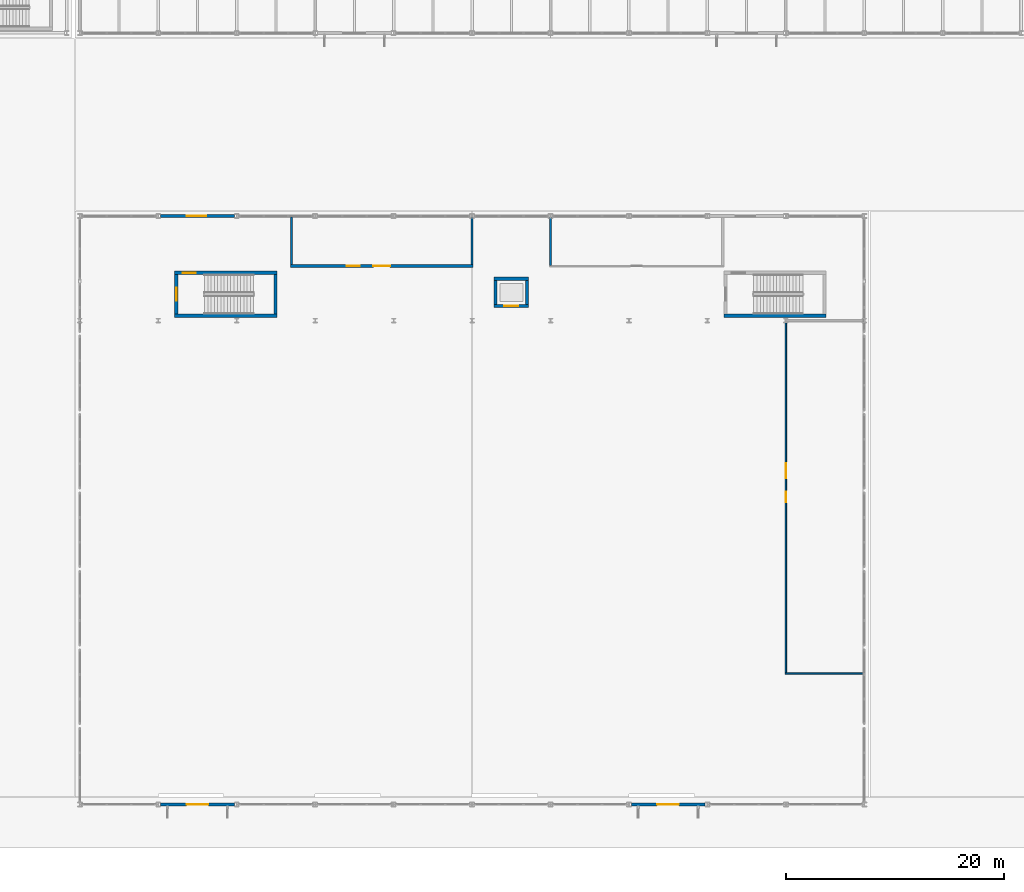
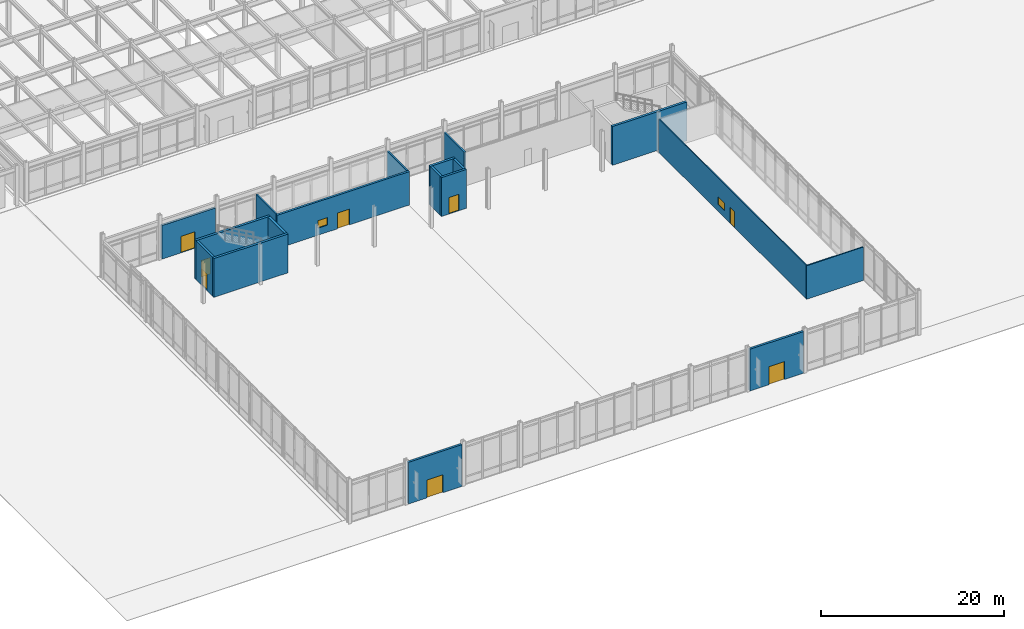
# One storey, part 71 of 104: 18 walls, 8 doors, 2 windows, 10 openings.
"""IFC4 building model written with IfcOpenShell, lengths in metres."""

from ifc_helpers import new_model, si_unit, direction, frame, frame_2d, origin, place, context, subcontext, project, spatial, rectangle, extrude, material, layer, layer_set, type_object, element, fill, save


model = new_model("IFC4")

# Units and contexts
model_context = context("Model", 3, precision=1e-05, world=origin(), true_north=direction((0.0, 1.0)))
body_context = subcontext(model_context, "Body", "Model", "MODEL_VIEW")
ifc_project = project(units=[si_unit("LENGTHUNIT", "METRE"), si_unit("AREAUNIT", "SQUARE_METRE"), si_unit("VOLUMEUNIT", "CUBIC_METRE"), si_unit("PLANEANGLEUNIT", "RADIAN"), si_unit("MASSUNIT", "GRAM", prefix="KILO")], contexts=[model_context])

# Site, building, storey
site_placement = place(None, origin())
site = spatial("IfcSite", under=ifc_project, at=site_placement, CompositionType="ELEMENT")
building_placement = place(site_placement, origin())
building = spatial("IfcBuilding", under=site, at=building_placement, Name="Vaelcorin Mobility Hub", CompositionType="ELEMENT")
storey_placement = place(building_placement, origin())
storey = spatial("IfcBuildingStorey", under=building, at=storey_placement, Name="L00", CompositionType="ELEMENT", Elevation=0.0)

# Wall
ifc_material_1 = material(Name="Reinforced concrete f'c 45 MPa", Category="concrete")
ifc_layer_1 = layer(ifc_material_1, 0.300048828125)
ifc_layer_set_1 = layer_set([ifc_layer_1], Name="Reinforced concrete f'c 45 MPa")
wall_type_1 = type_object("IfcWallType", Name="WL-CORE-300", PredefinedType="SOLIDWALL", material=ifc_layer_set_1)
wall_1_placement = place(storey_placement, frame((54.10009765625, 50.85009765625, 0.0), z_axis=(0.0, 0.0, 1.0), x_axis=(-1.0, 0.0, 0.0)))
element("IfcWall", 1, at=wall_1_placement, inside=storey, type_object=wall_type_1, Name="ST7 Fire Core Wall L00 South", PredefinedType="SOLIDWALL", context=body_context, shape_type="SweptSolid", body=[
    extrude(rectangle(XDim=9.400146484375, YDim=0.300048828125, at=frame_2d((4.7001953125, 0.0))), origin(), (0.0, 0.0, 1.0), 5.179931640625),
])

# Wall, opening, door
wall_2_placement = place(storey_placement, frame((44.699951171875, 54.7900390625, 0.0), z_axis=(0.0, 0.0, 1.0), x_axis=(1.0, 0.0, 0.0)))
wall_2 = element("IfcWall", 2, at=wall_2_placement, inside=storey, type_object=wall_type_1, Name="ST7 Fire Core Wall L00 North", PredefinedType="SOLIDWALL", context=body_context, shape_type="SweptSolid", body=[
    extrude(rectangle(XDim=9.400146484375, YDim=0.300048828125, at=frame_2d((4.7001953125, 0.0))), origin(), (0.0, 0.0, 1.0), 5.179931640625),
])
opening_1_placement = place(wall_2_placement, frame((0.75, 0.0, 0.0)))
opening_1 = element("IfcOpeningElement", 3, at=opening_1_placement, cuts=wall_2, Name="Opening SD01", PredefinedType="OPENING", context=body_context, shape_type="SweptSolid", body=[
    extrude(rectangle(XDim=1.199951171875, YDim=2.199951171875, at=frame_2d((0.60009765625, 1.10009765625))), frame((0.0, 0.159912109375, 0.0), z_axis=(0.0, -1.0, 0.0), x_axis=(1.0, 0.0, 0.0)), (0.0, 0.0, 1.0), 0.320068359375),
])
ifc_material_2 = material(Name="Hollow-metal insulated steel fire door", Category="steel")
door_type_1 = type_object("IfcDoorType", Name="DR-STAIR-90", OperationType="NOTDEFINED", PredefinedType="DOOR", material=ifc_material_2)
door_1_placement = place(opening_1_placement, origin())
door_1 = element("IfcDoor", 4, at=door_1_placement, inside=storey, type_object=door_type_1, Name="ST7 Protected Exit Vestibule Door L00", OperationType="SINGLE_SWING_LEFT", OverallHeight=2.199951171875, OverallWidth=1.199951171875, PredefinedType="DOOR", context=body_context, shape_type="SweptSolid", body=[
    extrude(rectangle(XDim=1.199951171875, YDim=2.199951171875, at=frame_2d((0.60009765625, 1.10009765625))), frame((0.0, 0.02490234375, 0.0), z_axis=(0.0, -1.0, 0.0), x_axis=(1.0, 0.0, 0.0)), (0.0, 0.0, 1.0), 0.050048828125),
])
fill(opening_1, door_1)

wall_3_placement = place(storey_placement, frame((44.85009765625, 51.0, 0.0), z_axis=(0.0, 0.0, 1.0), x_axis=(0.0, 1.0, 0.0)))
wall_3 = element("IfcWall", 5, at=wall_3_placement, inside=storey, type_object=wall_type_1, Name="ST7 Fire Core Wall L00 West", PredefinedType="SOLIDWALL", context=body_context, shape_type="SweptSolid", body=[
    extrude(rectangle(XDim=3.639892578125, YDim=0.300048828125, at=frame_2d((1.81982421875, 0.0))), origin(), (0.0, 0.0, 1.0), 5.179931640625),
])
opening_2_placement = place(wall_3_placement, frame((1.219970703125, 0.0, 0.0)))
opening_2 = element("IfcOpeningElement", 6, at=opening_2_placement, cuts=wall_3, Name="Opening SD01", PredefinedType="OPENING", context=body_context, shape_type="SweptSolid", body=[
    extrude(rectangle(XDim=1.199951171875, YDim=2.199951171875, at=frame_2d((0.60009765625, 1.10009765625))), frame((0.0, 0.159912109375, 0.0), z_axis=(0.0, -1.0, 0.0), x_axis=(1.0, 0.0, 0.0)), (0.0, 0.0, 1.0), 0.320068359375),
])
door_2_placement = place(opening_2_placement, origin())
door_2 = element("IfcDoor", 7, at=door_2_placement, inside=storey, type_object=door_type_1, Name="ST7 Protected Stair Door L00", OperationType="SINGLE_SWING_RIGHT", OverallHeight=2.199951171875, OverallWidth=1.199951171875, PredefinedType="DOOR", context=body_context, shape_type="SweptSolid", body=[
    extrude(rectangle(XDim=1.199951171875, YDim=2.199951171875, at=frame_2d((0.60009765625, 1.10009765625))), frame((0.0, 0.02490234375, 0.0), z_axis=(0.0, -1.0, 0.0), x_axis=(1.0, 0.0, 0.0)), (0.0, 0.0, 1.0), 0.050048828125),
])
fill(opening_2, door_2)

# Walls
wall_4_placement = place(storey_placement, frame((53.949951171875, 54.639892578125, 0.0), z_axis=(0.0, 0.0, 1.0), x_axis=(0.0, -1.0, 0.0)))
element("IfcWall", 8, at=wall_4_placement, inside=storey, type_object=wall_type_1, Name="ST7 Fire Core Wall L00 East", PredefinedType="SOLIDWALL", context=body_context, shape_type="SweptSolid", body=[
    extrude(rectangle(XDim=3.639892578125, YDim=0.300048828125, at=frame_2d((1.81982421875, 0.0))), origin(), (0.0, 0.0, 1.0), 5.179931640625),
])
wall_5_placement = place(storey_placement, frame((104.5, 50.85009765625, 0.0), z_axis=(0.0, 0.0, 1.0), x_axis=(-1.0, 0.0, 0.0)))
element("IfcWall", 9, at=wall_5_placement, inside=storey, type_object=wall_type_1, Name="ST8 Fire Core Wall L00 South", PredefinedType="SOLIDWALL", context=body_context, shape_type="SweptSolid", body=[
    extrude(rectangle(XDim=9.39990234375, YDim=0.300048828125, at=frame_2d((4.699951171875, 0.0))), origin(), (0.0, 0.0, 1.0), 5.179931640625),
])

# Wall, opening, door
ifc_material_3 = material(Name="Insulated exterior precast concrete C40/50", Category="concrete")
ifc_layer_2 = layer(ifc_material_3, 0.280029296875)
ifc_layer_set_2 = layer_set([ifc_layer_2], Name="Insulated exterior precast concrete C40/50")
wall_type_2 = type_object("IfcWallType", Name="WL-EXT-280", PredefinedType="STANDARD", material=ifc_layer_set_2)
wall_6_placement = place(storey_placement, frame((50.19091796875, 6.0, 0.0), z_axis=(0.0, 0.0, 1.0), x_axis=(-1.0, 0.0, 0.0)))
wall_6 = element("IfcWall", 10, at=wall_6_placement, inside=storey, type_object=wall_type_2, Name="L00 Exterior Wall V1-EW-S-02", PredefinedType="STANDARD", context=body_context, shape_type="SweptSolid", body=[
    extrude(rectangle(XDim=6.781982421875, YDim=0.280029296875, at=frame_2d((3.39111328125, 0.0))), origin(), (0.0, 0.0, 1.0), 5.580078125),
])
opening_3_placement = place(wall_6_placement, frame((2.40087890625, 0.0, 0.0)))
opening_3 = element("IfcOpeningElement", 11, at=opening_3_placement, cuts=wall_6, Name="Opening ED01", PredefinedType="OPENING", context=body_context, shape_type="SweptSolid", body=[
    extrude(rectangle(XDim=2.0, YDim=2.39990234375, at=frame_2d((1.0, 1.199951171875))), frame((0.0, 0.14990234375, 0.0), z_axis=(0.0, -1.0, 0.0), x_axis=(1.0, 0.0, 0.0)), (0.0, 0.0, 1.0), 0.300048828125),
])
ifc_material_4 = material(Name="Anodised aluminium 6063-T6", Category="aluminium")
door_type_2 = type_object("IfcDoorType", Name="DR-EXT-2000X2400", OperationType="NOTDEFINED", PredefinedType="DOOR", material=ifc_material_4)
door_3_placement = place(opening_3_placement, origin())
door_3 = element("IfcDoor", 12, at=door_3_placement, inside=storey, type_object=door_type_2, Name="L00 Exterior Door DR-V1-S-02", OperationType="SINGLE_SWING_LEFT", OverallHeight=2.39990234375, OverallWidth=2.0, PredefinedType="DOOR", context=body_context, shape_type="SweptSolid", body=[
    extrude(rectangle(XDim=2.0, YDim=2.39990234375, at=frame_2d((1.0, 1.199951171875))), frame((0.0, 0.02490234375, 0.0), z_axis=(0.0, -1.0, 0.0), x_axis=(1.0, 0.0, 0.0)), (0.0, 0.0, 1.0), 0.050048828125),
])
fill(opening_3, door_3)

wall_7_placement = place(storey_placement, frame((43.408935546875, 60.0, 0.0), z_axis=(0.0, 0.0, 1.0), x_axis=(1.0, 0.0, 0.0)))
wall_7 = element("IfcWall", 13, at=wall_7_placement, inside=storey, type_object=wall_type_2, Name="L00 Exterior Wall V1-EW-N-02", PredefinedType="STANDARD", context=body_context, shape_type="SweptSolid", body=[
    extrude(rectangle(XDim=6.781982421875, YDim=0.280029296875, at=frame_2d((3.39111328125, 0.0))), origin(), (0.0, 0.0, 1.0), 4.48193359375),
])
opening_4_placement = place(wall_7_placement, frame((2.40087890625, 0.0, 0.0)))
opening_4 = element("IfcOpeningElement", 14, at=opening_4_placement, cuts=wall_7, Name="Opening ED02", PredefinedType="OPENING", context=body_context, shape_type="SweptSolid", body=[
    extrude(rectangle(XDim=1.800048828125, YDim=2.199951171875, at=frame_2d((0.89990234375, 1.10009765625))), frame((0.0, 0.14990234375, 0.0), z_axis=(0.0, -1.0, 0.0), x_axis=(1.0, 0.0, 0.0)), (0.0, 0.0, 1.0), 0.300048828125),
])
door_type_3 = type_object("IfcDoorType", Name="DR-EXT-1800X2200", OperationType="NOTDEFINED", PredefinedType="DOOR", material=ifc_material_4)
door_4_placement = place(opening_4_placement, origin())
door_4 = element("IfcDoor", 15, at=door_4_placement, inside=storey, type_object=door_type_3, Name="L00 Exterior Door DR-V1-N-EXIT-02", OperationType="SINGLE_SWING_RIGHT", OverallHeight=2.199951171875, OverallWidth=1.800048828125, PredefinedType="DOOR", context=body_context, shape_type="SweptSolid", body=[
    extrude(rectangle(XDim=1.800048828125, YDim=2.199951171875, at=frame_2d((0.89990234375, 1.10009765625))), frame((0.0, 0.02490234375, 0.0), z_axis=(0.0, -1.0, 0.0), x_axis=(1.0, 0.0, 0.0)), (0.0, 0.0, 1.0), 0.050048828125),
])
fill(opening_4, door_4)

wall_8_placement = place(storey_placement, frame((93.39111328125, 6.0, 0.0), z_axis=(0.0, 0.0, 1.0), x_axis=(-1.0, 0.0, 0.0)))
wall_8 = element("IfcWall", 16, at=wall_8_placement, inside=storey, type_object=wall_type_2, Name="L00 Exterior Wall V1-EW-S-08", PredefinedType="STANDARD", context=body_context, shape_type="SweptSolid", body=[
    extrude(rectangle(XDim=6.7822265625, YDim=0.280029296875, at=frame_2d((3.39111328125, 0.0))), origin(), (0.0, 0.0, 1.0), 5.580078125),
])
opening_5_placement = place(wall_8_placement, frame((2.40087890625, 0.0, 0.0)))
opening_5 = element("IfcOpeningElement", 17, at=opening_5_placement, cuts=wall_8, Name="Opening ED01", PredefinedType="OPENING", context=body_context, shape_type="SweptSolid", body=[
    extrude(rectangle(XDim=2.0, YDim=2.39990234375, at=frame_2d((1.0, 1.199951171875))), frame((0.0, 0.14990234375, 0.0), z_axis=(0.0, -1.0, 0.0), x_axis=(1.0, 0.0, 0.0)), (0.0, 0.0, 1.0), 0.300048828125),
])
door_5_placement = place(opening_5_placement, origin())
door_5 = element("IfcDoor", 18, at=door_5_placement, inside=storey, type_object=door_type_2, Name="L00 Exterior Door DR-V1-S-08", OperationType="SINGLE_SWING_LEFT", OverallHeight=2.39990234375, OverallWidth=2.0, PredefinedType="DOOR", context=body_context, shape_type="SweptSolid", body=[
    extrude(rectangle(XDim=2.0, YDim=2.39990234375, at=frame_2d((1.0, 1.199951171875))), frame((0.0, 0.02490234375, 0.0), z_axis=(0.0, -1.0, 0.0), x_axis=(1.0, 0.0, 0.0)), (0.0, 0.0, 1.0), 0.050048828125),
])
fill(opening_5, door_5)

# Wall, openings, door, window
ifc_material_5 = material(Name="Fire-rated acoustic steel-stud gypsum board", Category="steel")
ifc_layer_3 = layer(ifc_material_5, 0.1298828125)
ifc_layer_set_3 = layer_set([ifc_layer_3], Name="Fire-rated acoustic steel-stud gypsum board")
wall_type_3 = type_object("IfcWallType", Name="WL-PART-130", PredefinedType="PARTITIONING", material=ifc_layer_set_3)
wall_9_placement = place(storey_placement, frame((100.800048828125, 18.080078125, 0.0), z_axis=(0.0, 0.0, 1.0), x_axis=(0.0, 1.0, 0.0)))
wall_9 = element("IfcWall", 19, at=wall_9_placement, inside=storey, type_object=wall_type_3, Name="Left-Luggage and Parcel Desk Partition West", PredefinedType="PARTITIONING", context=body_context, shape_type="SweptSolid", body=[
    extrude(rectangle(XDim=32.238037109375, YDim=0.1298828125, at=frame_2d((16.119140625, 0.0))), origin(), (0.0, 0.0, 1.0), 4.47705078125),
])
opening_6_placement = place(wall_9_placement, frame((15.638916015625, 0.0, 0.0)))
opening_6 = element("IfcOpeningElement", 20, at=opening_6_placement, cuts=wall_9, Name="Opening ID14", PredefinedType="OPENING", context=body_context, shape_type="SweptSolid", body=[
    extrude(rectangle(XDim=0.9599609375, YDim=2.159912109375, at=frame_2d((0.47998046875, 1.080078125))), frame((0.0, 0.074951171875, 0.0), z_axis=(0.0, -1.0, 0.0), x_axis=(1.0, 0.0, 0.0)), (0.0, 0.0, 1.0), 0.14990234375),
])
opening_7_placement = place(wall_9_placement, frame((17.84912109375, 0.0, 0.949951171875)))
opening_7 = element("IfcOpeningElement", 21, at=opening_7_placement, cuts=wall_9, Name="Opening IW-WN03", PredefinedType="OPENING", context=body_context, shape_type="SweptSolid", body=[
    extrude(rectangle(XDim=1.39990234375, YDim=1.0, at=frame_2d((0.699951171875, 0.5))), frame((0.0, 0.074951171875, 0.0), z_axis=(0.0, -1.0, 0.0), x_axis=(1.0, 0.0, 0.0)), (0.0, 0.0, 1.0), 0.14990234375),
])
ifc_material_6 = material(Name="Solid-core hardwood fire door assembly", Category="wood")
door_type_4 = type_object("IfcDoorType", Name="DR-INT-14", OperationType="NOTDEFINED", PredefinedType="DOOR", material=ifc_material_6)
door_6_placement = place(opening_6_placement, origin())
door_6 = element("IfcDoor", 22, at=door_6_placement, inside=storey, type_object=door_type_4, Name="Left-Luggage and Parcel Desk Door", OperationType="SINGLE_SWING_RIGHT", OverallHeight=2.159912109375, OverallWidth=0.9599609375, PredefinedType="DOOR", context=body_context, shape_type="SweptSolid", body=[
    extrude(rectangle(XDim=0.9599609375, YDim=2.159912109375, at=frame_2d((0.47998046875, 1.080078125))), frame((0.0, 0.02490234375, 0.0), z_axis=(0.0, -1.0, 0.0), x_axis=(1.0, 0.0, 0.0)), (0.0, 0.0, 1.0), 0.050048828125),
])
fill(opening_6, door_6)
ifc_material_7 = material(Name="Acoustic laminated fire-rated interior glazing", Category="glass")
window_type_1 = type_object("IfcWindowType", Name="WIN-INT-03", PartitioningType="SINGLE_PANEL", PredefinedType="WINDOW", material=ifc_material_7)
window_1_placement = place(opening_7_placement, origin())
window_1 = element("IfcWindow", 23, at=window_1_placement, inside=storey, type_object=window_type_1, Name="Left-Luggage and Parcel Desk Observation Glazing", OverallHeight=1.0, OverallWidth=1.39990234375, PartitioningType="SINGLE_PANEL", PredefinedType="WINDOW", context=body_context, shape_type="SweptSolid", body=[
    extrude(rectangle(XDim=1.39990234375, YDim=1.0, at=frame_2d((0.699951171875, 0.5))), frame((0.0, 0.030029296875, 0.0), z_axis=(0.0, -1.0, 0.0), x_axis=(1.0, 0.0, 0.0)), (0.0, 0.0, 1.0), 0.06005859375),
])
fill(opening_7, window_1)

# Walls
ifc_layer_4 = layer(ifc_material_5, 0.155029296875)
ifc_layer_set_4 = layer_set([ifc_layer_4], Name="Fire-rated acoustic steel-stud gypsum board")
wall_type_4 = type_object("IfcWallType", Name="WL-PART-155", PredefinedType="PARTITIONING", material=ifc_layer_set_4)
wall_10_placement = place(storey_placement, frame((107.91796875, 18.0, 0.0), z_axis=(0.0, 0.0, 1.0), x_axis=(-1.0, 0.0, 0.0)))
element("IfcWall", 24, at=wall_10_placement, inside=storey, type_object=wall_type_4, Name="Left-Luggage and Parcel Desk Partition South", PredefinedType="PARTITIONING", context=body_context, shape_type="SweptSolid", body=[
    extrude(rectangle(XDim=7.197998046875, YDim=0.155029296875, at=frame_2d((3.59912109375, 0.0))), origin(), (0.0, 0.0, 1.0), 4.47705078125),
])
ifc_layer_5 = layer(ifc_material_5, 0.18505859375)
ifc_layer_set_5 = layer_set([ifc_layer_5], Name="Fire-rated acoustic steel-stud gypsum board")
wall_type_5 = type_object("IfcWallType", Name="WL-PART-185", PredefinedType="PARTITIONING", material=ifc_layer_set_5)
wall_11_placement = place(storey_placement, frame((55.419921875, 55.537109375, 0.0), z_axis=(0.0, 0.0, 1.0), x_axis=(0.0, 1.0, 0.0)))
element("IfcWall", 25, at=wall_11_placement, inside=storey, type_object=wall_type_5, Name="Intermodal Ticketing Pavilion Partition West", PredefinedType="PARTITIONING", context=body_context, shape_type="SweptSolid", body=[
    extrude(rectangle(XDim=4.380859375, YDim=0.18505859375, at=frame_2d((2.1904296875, 0.0))), origin(), (0.0, 0.0, 1.0), 4.47705078125),
])
ifc_layer_6 = layer(ifc_material_5, 0.19189453125)
ifc_layer_set_6 = layer_set([ifc_layer_6], Name="Fire-rated acoustic steel-stud gypsum board")
wall_type_6 = type_object("IfcWallType", Name="WL-PART-192", PredefinedType="PARTITIONING", material=ifc_layer_set_6)
wall_12_placement = place(storey_placement, frame((72.0, 59.91796875, 0.0), z_axis=(0.0, 0.0, 1.0), x_axis=(0.0, -1.0, 0.0)))
element("IfcWall", 26, at=wall_12_placement, inside=storey, type_object=wall_type_6, Name="Intermodal Ticketing Pavilion Partition East", PredefinedType="PARTITIONING", context=body_context, shape_type="SweptSolid", body=[
    extrude(rectangle(XDim=4.380859375, YDim=0.19189453125, at=frame_2d((2.1904296875, 0.0))), origin(), (0.0, 0.0, 1.0), 4.47705078125),
])
ifc_material_8 = material(Name="Reinforced acoustic concrete masonry C30/37", Category="masonry")
ifc_layer_7 = layer(ifc_material_8, 0.197998046875)
ifc_layer_set_7 = layer_set([ifc_layer_7], Name="Reinforced acoustic concrete masonry C30/37")
wall_type_7 = type_object("IfcWallType", Name="WL-PART-198", PredefinedType="PARTITIONING", material=ifc_layer_set_7)
wall_13_placement = place(storey_placement, frame((79.199951171875, 55.449951171875, 0.0), z_axis=(0.0, 0.0, 1.0), x_axis=(0.0, 1.0, 0.0)))
element("IfcWall", 27, at=wall_13_placement, inside=storey, type_object=wall_type_7, Name="Regional Passenger Waiting Lounge Partition West", PredefinedType="PARTITIONING", context=body_context, shape_type="SweptSolid", body=[
    extrude(rectangle(XDim=4.468017578125, YDim=0.197998046875, at=frame_2d((2.23388671875, 0.0))), origin(), (0.0, 0.0, 1.0), 4.47705078125),
])

# Wall, openings, door, window
ifc_layer_8 = layer(ifc_material_8, 0.27001953125)
ifc_layer_set_8 = layer_set([ifc_layer_8], Name="Reinforced acoustic concrete masonry C30/37")
wall_type_8 = type_object("IfcWallType", Name="WL-PART-270", PredefinedType="PARTITIONING", material=ifc_layer_set_8)
wall_14_placement = place(storey_placement, frame((72.080078125, 55.39990234375, 0.0), z_axis=(0.0, 0.0, 1.0), x_axis=(-1.0, 0.0, 0.0)))
wall_14 = element("IfcWall", 28, at=wall_14_placement, inside=storey, type_object=wall_type_8, Name="Intermodal Ticketing Pavilion Partition South", PredefinedType="PARTITIONING", context=body_context, shape_type="SweptSolid", body=[
    extrude(rectangle(XDim=16.739990234375, YDim=0.27001953125, at=frame_2d((8.3701171875, 0.0))), origin(), (0.0, 0.0, 1.0), 4.47705078125),
])
opening_8_placement = place(wall_14_placement, frame((7.60009765625, 0.0, 0.0)))
opening_8 = element("IfcOpeningElement", 29, at=opening_8_placement, cuts=wall_14, Name="Opening ID12", PredefinedType="OPENING", context=body_context, shape_type="SweptSolid", body=[
    extrude(rectangle(XDim=1.5400390625, YDim=2.10009765625, at=frame_2d((0.77001953125, 1.050048828125))), frame((0.0, 0.14501953125, 0.0), z_axis=(0.0, -1.0, 0.0), x_axis=(1.0, 0.0, 0.0)), (0.0, 0.0, 1.0), 0.2900390625),
])
opening_9_placement = place(wall_14_placement, frame((10.389892578125, 0.0, 0.949951171875)))
opening_9 = element("IfcOpeningElement", 30, at=opening_9_placement, cuts=wall_14, Name="Opening IW-WN02", PredefinedType="OPENING", context=body_context, shape_type="SweptSolid", body=[
    extrude(rectangle(XDim=1.199951171875, YDim=1.0, at=frame_2d((0.60009765625, 0.5))), frame((0.0, 0.14501953125, 0.0), z_axis=(0.0, -1.0, 0.0), x_axis=(1.0, 0.0, 0.0)), (0.0, 0.0, 1.0), 0.2900390625),
])
door_type_5 = type_object("IfcDoorType", Name="DR-INT-12", OperationType="NOTDEFINED", PredefinedType="DOOR", material=ifc_material_2)
door_7_placement = place(opening_8_placement, origin())
door_7 = element("IfcDoor", 31, at=door_7_placement, inside=storey, type_object=door_type_5, Name="Intermodal Ticketing Pavilion Door", OperationType="SINGLE_SWING_RIGHT", OverallHeight=2.10009765625, OverallWidth=1.5400390625, PredefinedType="DOOR", context=body_context, shape_type="SweptSolid", body=[
    extrude(rectangle(XDim=1.5400390625, YDim=2.10009765625, at=frame_2d((0.77001953125, 1.050048828125))), frame((0.0, 0.02490234375, 0.0), z_axis=(0.0, -1.0, 0.0), x_axis=(1.0, 0.0, 0.0)), (0.0, 0.0, 1.0), 0.050048828125),
])
fill(opening_8, door_7)
window_type_2 = type_object("IfcWindowType", Name="WIN-INT-02", PartitioningType="SINGLE_PANEL", PredefinedType="WINDOW", material=ifc_material_7)
window_2_placement = place(opening_9_placement, origin())
window_2 = element("IfcWindow", 32, at=window_2_placement, inside=storey, type_object=window_type_2, Name="Intermodal Ticketing Pavilion Observation Glazing", OverallHeight=1.0, OverallWidth=1.199951171875, PartitioningType="SINGLE_PANEL", PredefinedType="WINDOW", context=body_context, shape_type="SweptSolid", body=[
    extrude(rectangle(XDim=1.199951171875, YDim=1.0, at=frame_2d((0.60009765625, 0.5))), frame((0.0, 0.030029296875, 0.0), z_axis=(0.0, -1.0, 0.0), x_axis=(1.0, 0.0, 0.0)), (0.0, 0.0, 1.0), 0.06005859375),
])
fill(opening_9, window_2)

# Wall, opening, door
ifc_layer_9 = layer(ifc_material_1, 0.2900390625)
ifc_layer_set_9 = layer_set([ifc_layer_9], Name="Reinforced concrete f'c 45 MPa")
wall_type_9 = type_object("IfcWallType", Name="WL-SHEAR-290", PredefinedType="SHEAR", material=ifc_layer_set_9)
wall_15_placement = place(storey_placement, frame((77.18994140625, 51.7548828125, 0.0), z_axis=(0.0, 0.0, 1.0), x_axis=(-1.0, 0.0, 0.0)))
wall_15 = element("IfcWall", 33, at=wall_15_placement, inside=storey, type_object=wall_type_9, Name="LF3 Lift Shaft Shear Wall L00 South", PredefinedType="SHEAR", context=body_context, shape_type="SweptSolid", body=[
    extrude(rectangle(XDim=3.179931640625, YDim=0.2900390625, at=frame_2d((1.58984375, 0.0))), origin(), (0.0, 0.0, 1.0), 5.179931640625),
])
opening_10_placement = place(wall_15_placement, frame((0.93994140625, 0.0, 0.0)))
opening_10 = element("IfcOpeningElement", 34, at=opening_10_placement, cuts=wall_15, Name="Opening LD2", PredefinedType="OPENING", context=body_context, shape_type="SweptSolid", body=[
    extrude(rectangle(XDim=1.300048828125, YDim=2.199951171875, at=frame_2d((0.64990234375, 1.10009765625))), frame((0.0, 0.155029296875, 0.0), z_axis=(0.0, -1.0, 0.0), x_axis=(1.0, 0.0, 0.0)), (0.0, 0.0, 1.0), 0.31005859375),
])
ifc_material_9 = material(Name="Brushed stainless steel 316L", Category="steel")
door_type_6 = type_object("IfcDoorType", Name="DR-LIFT-LD2", OperationType="NOTDEFINED", PredefinedType="DOOR", material=ifc_material_9)
door_8_placement = place(opening_10_placement, origin())
door_8 = element("IfcDoor", 35, at=door_8_placement, inside=storey, type_object=door_type_6, Name="LF3 Lift Landing Sliding Door L00", OperationType="DOUBLE_DOOR_SLIDING", OverallHeight=2.199951171875, OverallWidth=1.300048828125, PredefinedType="DOOR", context=body_context, shape_type="SweptSolid", body=[
    extrude(rectangle(XDim=1.300048828125, YDim=2.199951171875, at=frame_2d((0.64990234375, 1.10009765625))), frame((0.0, 0.02490234375, 0.0), z_axis=(0.0, -1.0, 0.0), x_axis=(1.0, 0.0, 0.0)), (0.0, 0.0, 1.0), 0.050048828125),
])
fill(opening_10, door_8)

# Walls
wall_16_placement = place(storey_placement, frame((74.010009765625, 54.2451171875, 0.0), z_axis=(0.0, 0.0, 1.0), x_axis=(1.0, 0.0, 0.0)))
element("IfcWall", 36, at=wall_16_placement, inside=storey, type_object=wall_type_9, Name="LF3 Lift Shaft Shear Wall L00 North", PredefinedType="SHEAR", context=body_context, shape_type="SweptSolid", body=[
    extrude(rectangle(XDim=3.179931640625, YDim=0.2900390625, at=frame_2d((1.58984375, 0.0))), origin(), (0.0, 0.0, 1.0), 5.179931640625),
])
for number, where, z_axis, x_axis, name in (
    (37, (74.155029296875, 51.89990234375, 0.0), (0.0, 0.0, 1.0), (0.0, 1.0, 0.0), "LF3 Lift Shaft Shear Wall L00 West"),
    (38, (77.044921875, 54.10009765625, 0.0), (0.0, 0.0, 1.0), (0.0, -1.0, 0.0), "LF3 Lift Shaft Shear Wall L00 East"),
):
    element("IfcWall", number, at=place(storey_placement, frame(where, z_axis=z_axis, x_axis=x_axis)), inside=storey, type_object=wall_type_9, Name=name, PredefinedType="SHEAR", context=body_context, shape_type="SweptSolid", body=[
        extrude(rectangle(XDim=2.2001953125, YDim=0.2900390625, at=frame_2d((1.10009765625, 0.0))), origin(), (0.0, 0.0, 1.0), 5.179931640625),
    ])

save(model, "model.ifc")
